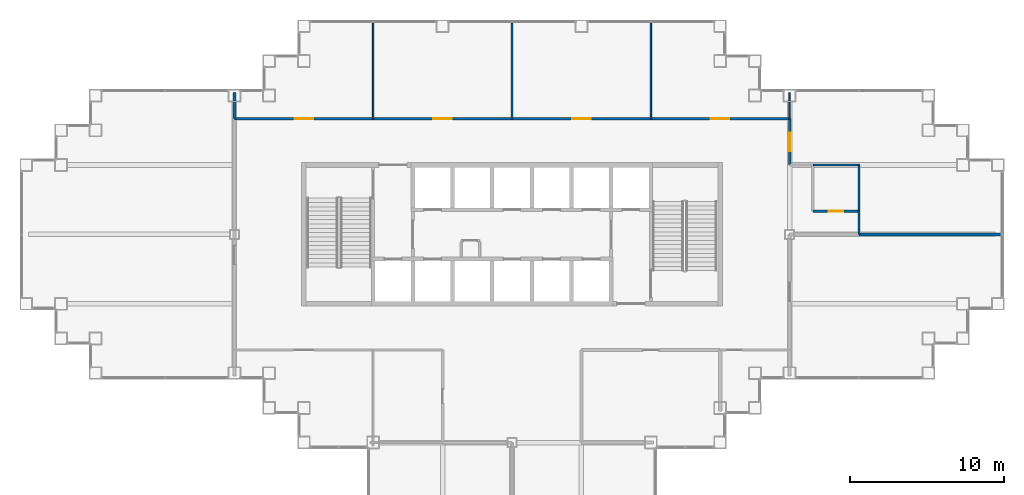
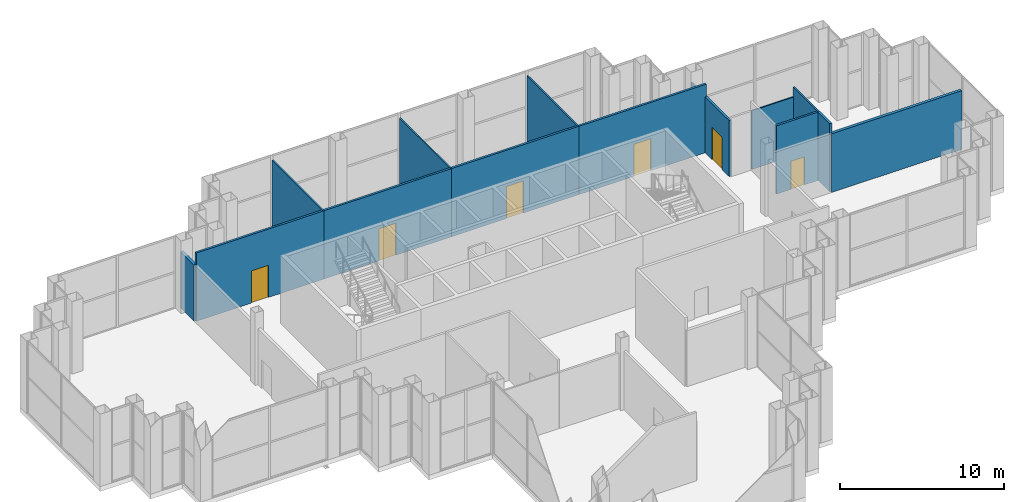
# One storey, part 13 of 18: 15 walls, 6 doors, 6 openings.
"""IFC4 building model written with IfcOpenShell, lengths in metres."""

from ifc_helpers import new_model, si_unit, direction, frame, frame_2d, origin, place, context, subcontext, project, spatial, rectangle, extrude, material, layer, layer_set, type_object, element, fill, save


model = new_model("IFC4")

# Units and contexts
model_context = context("Model", 3, precision=1e-05, world=origin(), true_north=direction((0.0, 1.0)))
body_context = subcontext(model_context, "Body", "Model", "MODEL_VIEW")
ifc_project = project(units=[si_unit("LENGTHUNIT", "METRE"), si_unit("AREAUNIT", "SQUARE_METRE"), si_unit("VOLUMEUNIT", "CUBIC_METRE"), si_unit("PLANEANGLEUNIT", "RADIAN"), si_unit("MASSUNIT", "GRAM", prefix="KILO")], contexts=[model_context])

# Site, building, storey
site_placement = place(None, origin())
site = spatial("IfcSite", under=ifc_project, at=site_placement, CompositionType="ELEMENT")
building_placement = place(site_placement, origin())
building = spatial("IfcBuilding", under=site, at=building_placement, Name="Caravel Reach Hotel and Residences", CompositionType="ELEMENT")
storey_placement = place(building_placement, frame((0.0, 0.0, 145.199951171875)))
storey = spatial("IfcBuildingStorey", under=building, at=storey_placement, Name="L36", CompositionType="ELEMENT", Elevation=145.199951171875)

# Walls
ifc_material_1 = material(Name="Autoclaved aerated block wall")
ifc_layer_1 = layer(ifc_material_1, 0.199951171875)
ifc_layer_set_1 = layer_set([ifc_layer_1], Name="Compartment wall 200 mm EI 120")
wall_type_1 = type_object("IfcWallType", Name="Compartment wall 200 mm EI 120", PredefinedType="PARTITIONING", material=ifc_layer_set_1)
wall_1_placement = place(storey_placement, frame((54.0, 27.0, 0.0), z_axis=(0.0, 0.0, 1.0), x_axis=(1.0, 0.0, 0.0)))
element("IfcWall", 1, at=wall_1_placement, inside=storey, type_object=wall_type_1, Name="L36 wall w028", PredefinedType="PARTITIONING", context=body_context, shape_type="SweptSolid", body=[
    extrude(rectangle(XDim=9.18994140625, YDim=0.199951171875, at=frame_2d((4.594970703125, 0.0))), origin(), (0.0, 0.0, 1.0), 4.380126953125),
])
wall_2_placement = place(storey_placement, frame((13.5, 34.5, 0.0), z_axis=(0.0, 0.0, 1.0), x_axis=(0.0, 1.0, 0.0)))
element("IfcWall", 2, at=wall_2_placement, inside=storey, type_object=wall_type_1, Name="L36 wall w030", PredefinedType="PARTITIONING", context=body_context, shape_type="SweptSolid", body=[
    extrude(rectangle(XDim=1.68994140625, YDim=0.199951171875, at=frame_2d((0.844970703125, 0.0))), origin(), (0.0, 0.0, 1.0), 4.179931640625),
])

# Wall, opening, door
ifc_material_2 = material(Name="Gypsum board on steel stud, fire-rated", Category="steel")
ifc_layer_2 = layer(ifc_material_2, 0.14990234375)
ifc_layer_set_2 = layer_set([ifc_layer_2], Name="Corridor wall 150 mm EI 60")
wall_type_2 = type_object("IfcWallType", Name="Corridor wall 150 mm EI 60", PredefinedType="PARTITIONING", material=ifc_layer_set_2)
wall_3_placement = place(storey_placement, frame((51.0, 28.5, 0.0), z_axis=(0.0, 0.0, 1.0), x_axis=(1.0, 0.0, 0.0)))
wall_3 = element("IfcWall", 3, at=wall_3_placement, inside=storey, type_object=wall_type_2, Name="L36 wall w005", PredefinedType="PARTITIONING", context=body_context, shape_type="SweptSolid", body=[
    extrude(rectangle(XDim=3.0, YDim=0.14990234375, at=frame_2d((1.5, 0.0))), origin(), (0.0, 0.0, 1.0), 5.10009765625),
])
opening_1_placement = place(wall_3_placement, frame((1.02490234375, 0.0, 0.0)))
opening_1 = element("IfcOpeningElement", 4, at=opening_1_placement, cuts=wall_3, Name="Opening D36-029", PredefinedType="OPENING", context=body_context, shape_type="SweptSolid", body=[
    extrude(rectangle(XDim=0.949951171875, YDim=2.10009765625, at=frame_2d((0.47509765625, 1.050048828125))), frame((0.0, 0.0849609375, 0.0), z_axis=(0.0, -1.0, 0.0), x_axis=(1.0, 0.0, 0.0)), (0.0, 0.0, 1.0), 0.169921875),
])
ifc_material_3 = material(Name="Timber and steel door leaf", Category="steel")
door_type_1 = type_object("IfcDoorType", Name="Accessible WC door 950 x 2100", OperationType="SINGLE_SWING_LEFT", PredefinedType="DOOR", material=ifc_material_3)
door_1_placement = place(opening_1_placement, origin())
door_1 = element("IfcDoor", 5, at=door_1_placement, inside=storey, type_object=door_type_1, Name="door D36-029", OperationType="SINGLE_SWING_LEFT", OverallHeight=2.10009765625, OverallWidth=0.949951171875, PredefinedType="DOOR", context=body_context, shape_type="SweptSolid", body=[
    extrude(rectangle(XDim=0.949951171875, YDim=2.10009765625, at=frame_2d((0.47509765625, 1.050048828125))), frame((0.0, 0.02490234375, 0.0), z_axis=(0.0, -1.0, 0.0), x_axis=(1.0, 0.0, 0.0)), (0.0, 0.0, 1.0), 0.050048828125),
])
fill(opening_1, door_1)

wall_4_placement = place(storey_placement, frame((13.5, 34.5, 0.0), z_axis=(0.0, 0.0, 1.0), x_axis=(1.0, 0.0, 0.0)))
wall_4 = element("IfcWall", 6, at=wall_4_placement, inside=storey, type_object=wall_type_2, Name="L36 wall w007", PredefinedType="PARTITIONING", context=body_context, shape_type="SweptSolid", body=[
    extrude(rectangle(XDim=9.0, YDim=0.14990234375, at=frame_2d((4.5, 0.0))), origin(), (0.0, 0.0, 1.0), 5.10009765625),
])
opening_2_placement = place(wall_4_placement, frame((3.89990234375, 0.0, 0.0)))
opening_2 = element("IfcOpeningElement", 7, at=opening_2_placement, cuts=wall_4, Name="Opening D36-022", PredefinedType="OPENING", context=body_context, shape_type="SweptSolid", body=[
    extrude(rectangle(XDim=1.199951171875, YDim=2.39990234375, at=frame_2d((0.60009765625, 1.199951171875))), frame((0.0, 0.0849609375, 0.0), z_axis=(0.0, -1.0, 0.0), x_axis=(1.0, 0.0, 0.0)), (0.0, 0.0, 1.0), 0.169921875),
])
ifc_material_4 = material(Name="Timber and steel door leaf", Category="steel")
door_type_2 = type_object("IfcDoorType", Name="Glazed door 1200 x 2400", OperationType="SINGLE_SWING_LEFT", PredefinedType="DOOR", material=ifc_material_4)
door_2_placement = place(opening_2_placement, origin())
door_2 = element("IfcDoor", 8, at=door_2_placement, inside=storey, type_object=door_type_2, Name="door D36-022", OperationType="SINGLE_SWING_RIGHT", OverallHeight=2.39990234375, OverallWidth=1.199951171875, PredefinedType="DOOR", context=body_context, shape_type="SweptSolid", body=[
    extrude(rectangle(XDim=1.199951171875, YDim=2.39990234375, at=frame_2d((0.60009765625, 1.199951171875))), frame((0.0, 0.02490234375, 0.0), z_axis=(0.0, -1.0, 0.0), x_axis=(1.0, 0.0, 0.0)), (0.0, 0.0, 1.0), 0.050048828125),
])
fill(opening_2, door_2)

wall_5_placement = place(storey_placement, frame((22.5, 34.5, 0.0), z_axis=(0.0, 0.0, 1.0), x_axis=(1.0, 0.0, 0.0)))
wall_5 = element("IfcWall", 9, at=wall_5_placement, inside=storey, type_object=wall_type_2, Name="L36 wall w008", PredefinedType="PARTITIONING", context=body_context, shape_type="SweptSolid", body=[
    extrude(rectangle(XDim=9.0, YDim=0.14990234375, at=frame_2d((4.5, 0.0))), origin(), (0.0, 0.0, 1.0), 5.10009765625),
])
opening_3_placement = place(wall_5_placement, frame((3.89990234375, 0.0, 0.0)))
opening_3 = element("IfcOpeningElement", 10, at=opening_3_placement, cuts=wall_5, Name="Opening D36-023", PredefinedType="OPENING", context=body_context, shape_type="SweptSolid", body=[
    extrude(rectangle(XDim=1.199951171875, YDim=2.39990234375, at=frame_2d((0.60009765625, 1.199951171875))), frame((0.0, 0.0849609375, 0.0), z_axis=(0.0, -1.0, 0.0), x_axis=(1.0, 0.0, 0.0)), (0.0, 0.0, 1.0), 0.169921875),
])
door_3_placement = place(opening_3_placement, origin())
door_3 = element("IfcDoor", 11, at=door_3_placement, inside=storey, type_object=door_type_2, Name="door D36-023", OperationType="SINGLE_SWING_RIGHT", OverallHeight=2.39990234375, OverallWidth=1.199951171875, PredefinedType="DOOR", context=body_context, shape_type="SweptSolid", body=[
    extrude(rectangle(XDim=1.199951171875, YDim=2.39990234375, at=frame_2d((0.60009765625, 1.199951171875))), frame((0.0, 0.02490234375, 0.0), z_axis=(0.0, -1.0, 0.0), x_axis=(1.0, 0.0, 0.0)), (0.0, 0.0, 1.0), 0.050048828125),
])
fill(opening_3, door_3)

wall_6_placement = place(storey_placement, frame((31.5, 34.5, 0.0), z_axis=(0.0, 0.0, 1.0), x_axis=(1.0, 0.0, 0.0)))
wall_6 = element("IfcWall", 12, at=wall_6_placement, inside=storey, type_object=wall_type_2, Name="L36 wall w009", PredefinedType="PARTITIONING", context=body_context, shape_type="SweptSolid", body=[
    extrude(rectangle(XDim=9.0, YDim=0.14990234375, at=frame_2d((4.5, 0.0))), origin(), (0.0, 0.0, 1.0), 5.10009765625),
])
opening_4_placement = place(wall_6_placement, frame((3.89990234375, 0.0, 0.0)))
opening_4 = element("IfcOpeningElement", 13, at=opening_4_placement, cuts=wall_6, Name="Opening D36-024", PredefinedType="OPENING", context=body_context, shape_type="SweptSolid", body=[
    extrude(rectangle(XDim=1.199951171875, YDim=2.39990234375, at=frame_2d((0.60009765625, 1.199951171875))), frame((0.0, 0.0849609375, 0.0), z_axis=(0.0, -1.0, 0.0), x_axis=(1.0, 0.0, 0.0)), (0.0, 0.0, 1.0), 0.169921875),
])
door_4_placement = place(opening_4_placement, origin())
door_4 = element("IfcDoor", 14, at=door_4_placement, inside=storey, type_object=door_type_2, Name="door D36-024", OperationType="SINGLE_SWING_RIGHT", OverallHeight=2.39990234375, OverallWidth=1.199951171875, PredefinedType="DOOR", context=body_context, shape_type="SweptSolid", body=[
    extrude(rectangle(XDim=1.199951171875, YDim=2.39990234375, at=frame_2d((0.60009765625, 1.199951171875))), frame((0.0, 0.02490234375, 0.0), z_axis=(0.0, -1.0, 0.0), x_axis=(1.0, 0.0, 0.0)), (0.0, 0.0, 1.0), 0.050048828125),
])
fill(opening_4, door_4)

wall_7_placement = place(storey_placement, frame((40.5, 34.5, 0.0), z_axis=(0.0, 0.0, 1.0), x_axis=(1.0, 0.0, 0.0)))
wall_7 = element("IfcWall", 15, at=wall_7_placement, inside=storey, type_object=wall_type_2, Name="L36 wall w010", PredefinedType="PARTITIONING", context=body_context, shape_type="SweptSolid", body=[
    extrude(rectangle(XDim=9.0, YDim=0.14990234375, at=frame_2d((4.5, 0.0))), origin(), (0.0, 0.0, 1.0), 5.10009765625),
])
opening_5_placement = place(wall_7_placement, frame((3.89990234375, 0.0, 0.0)))
opening_5 = element("IfcOpeningElement", 16, at=opening_5_placement, cuts=wall_7, Name="Opening D36-025", PredefinedType="OPENING", context=body_context, shape_type="SweptSolid", body=[
    extrude(rectangle(XDim=1.199951171875, YDim=2.39990234375, at=frame_2d((0.60009765625, 1.199951171875))), frame((0.0, 0.0849609375, 0.0), z_axis=(0.0, -1.0, 0.0), x_axis=(1.0, 0.0, 0.0)), (0.0, 0.0, 1.0), 0.169921875),
])
door_5_placement = place(opening_5_placement, origin())
door_5 = element("IfcDoor", 17, at=door_5_placement, inside=storey, type_object=door_type_2, Name="door D36-025", OperationType="SINGLE_SWING_RIGHT", OverallHeight=2.39990234375, OverallWidth=1.199951171875, PredefinedType="DOOR", context=body_context, shape_type="SweptSolid", body=[
    extrude(rectangle(XDim=1.199951171875, YDim=2.39990234375, at=frame_2d((0.60009765625, 1.199951171875))), frame((0.0, 0.02490234375, 0.0), z_axis=(0.0, -1.0, 0.0), x_axis=(1.0, 0.0, 0.0)), (0.0, 0.0, 1.0), 0.050048828125),
])
fill(opening_5, door_5)

wall_8_placement = place(storey_placement, frame((49.5, 31.5, 0.0), z_axis=(0.0, 0.0, 1.0), x_axis=(0.0, 1.0, 0.0)))
wall_8 = element("IfcWall", 18, at=wall_8_placement, inside=storey, type_object=wall_type_2, Name="L36 wall w014", PredefinedType="PARTITIONING", context=body_context, shape_type="SweptSolid", body=[
    extrude(rectangle(XDim=3.0, YDim=0.14990234375, at=frame_2d((1.5, 0.0))), origin(), (0.0, 0.0, 1.0), 4.179931640625),
])
opening_6_placement = place(wall_8_placement, frame((0.89990234375, 0.0, 0.0)))
opening_6 = element("IfcOpeningElement", 19, at=opening_6_placement, cuts=wall_8, Name="Opening D36-030", PredefinedType="OPENING", context=body_context, shape_type="SweptSolid", body=[
    extrude(rectangle(XDim=1.199951171875, YDim=2.39990234375, at=frame_2d((0.60009765625, 1.199951171875))), frame((0.0, 0.0849609375, 0.0), z_axis=(0.0, -1.0, 0.0), x_axis=(1.0, 0.0, 0.0)), (0.0, 0.0, 1.0), 0.169921875),
])
door_6_placement = place(opening_6_placement, origin())
door_6 = element("IfcDoor", 20, at=door_6_placement, inside=storey, type_object=door_type_2, Name="door D36-030", OperationType="SINGLE_SWING_RIGHT", OverallHeight=2.39990234375, OverallWidth=1.199951171875, PredefinedType="DOOR", context=body_context, shape_type="SweptSolid", body=[
    extrude(rectangle(XDim=1.199951171875, YDim=2.39990234375, at=frame_2d((0.60009765625, 1.199951171875))), frame((0.0, 0.02490234375, 0.0), z_axis=(0.0, -1.0, 0.0), x_axis=(1.0, 0.0, 0.0)), (0.0, 0.0, 1.0), 0.050048828125),
])
fill(opening_6, door_6)

# Walls
wall_9_placement = place(storey_placement, frame((54.0, 27.0, 0.0), z_axis=(0.0, 0.0, 1.0), x_axis=(0.0, 1.0, 0.0)))
element("IfcWall", 21, at=wall_9_placement, inside=storey, type_object=wall_type_2, Name="L36 wall w016", PredefinedType="PARTITIONING", context=body_context, shape_type="SweptSolid", body=[
    extrude(rectangle(XDim=1.5, YDim=0.14990234375, at=frame_2d((0.75, 0.0))), origin(), (0.0, 0.0, 1.0), 5.10009765625),
])
ifc_material_5 = material(Name="Gypsum board on steel stud", Category="steel")
ifc_layer_3 = layer(ifc_material_5, 0.10009765625)
ifc_layer_set_3 = layer_set([ifc_layer_3], Name="Partition 100 mm")
wall_type_3 = type_object("IfcWallType", Name="Partition 100 mm", PredefinedType="PARTITIONING", material=ifc_layer_set_3)
wall_10_placement = place(storey_placement, frame((51.0, 31.5, 0.0), z_axis=(0.0, 0.0, 1.0), x_axis=(1.0, 0.0, 0.0)))
element("IfcWall", 22, at=wall_10_placement, inside=storey, type_object=wall_type_3, Name="L36 wall w018", PredefinedType="PARTITIONING", context=body_context, shape_type="SweptSolid", body=[
    extrude(rectangle(XDim=3.0, YDim=0.10009765625, at=frame_2d((1.5, 0.0))), origin(), (0.0, 0.0, 1.0), 4.380126953125),
])
for number, where, z_axis, x_axis, name in (
    (23, (22.5, 34.5, 0.0), (0.0, 0.0, 1.0), (0.0, 1.0, 0.0), "L36 wall w020"),
    (24, (31.5, 34.5, 0.0), (0.0, 0.0, 1.0), (0.0, 1.0, 0.0), "L36 wall w021"),
    (25, (40.5, 34.5, 0.0), (0.0, 0.0, 1.0), (0.0, 1.0, 0.0), "L36 wall w022"),
):
    element("IfcWall", number, at=place(storey_placement, frame(where, z_axis=z_axis, x_axis=x_axis)), inside=storey, type_object=wall_type_3, Name=name, PredefinedType="PARTITIONING", context=body_context, shape_type="SweptSolid", body=[
        extrude(rectangle(XDim=6.18994140625, YDim=0.10009765625, at=frame_2d((3.094970703125, 0.0))), origin(), (0.0, 0.0, 1.0), 5.10009765625),
    ])
wall_11_placement = place(storey_placement, frame((49.5, 34.5, 0.0), z_axis=(0.0, 0.0, 1.0), x_axis=(0.0, 1.0, 0.0)))
element("IfcWall", 26, at=wall_11_placement, inside=storey, type_object=wall_type_3, Name="L36 wall w023", PredefinedType="PARTITIONING", context=body_context, shape_type="SweptSolid", body=[
    extrude(rectangle(XDim=1.68994140625, YDim=0.10009765625, at=frame_2d((0.844970703125, 0.0))), origin(), (0.0, 0.0, 1.0), 4.179931640625),
])
wall_12_placement = place(storey_placement, frame((54.0, 28.5, 0.0), z_axis=(0.0, 0.0, 1.0), x_axis=(0.0, 1.0, 0.0)))
element("IfcWall", 27, at=wall_12_placement, inside=storey, type_object=wall_type_3, Name="L36 wall w024", PredefinedType="PARTITIONING", context=body_context, shape_type="SweptSolid", body=[
    extrude(rectangle(XDim=3.0, YDim=0.10009765625, at=frame_2d((1.5, 0.0))), origin(), (0.0, 0.0, 1.0), 5.10009765625),
])

save(model, "model.ifc")
